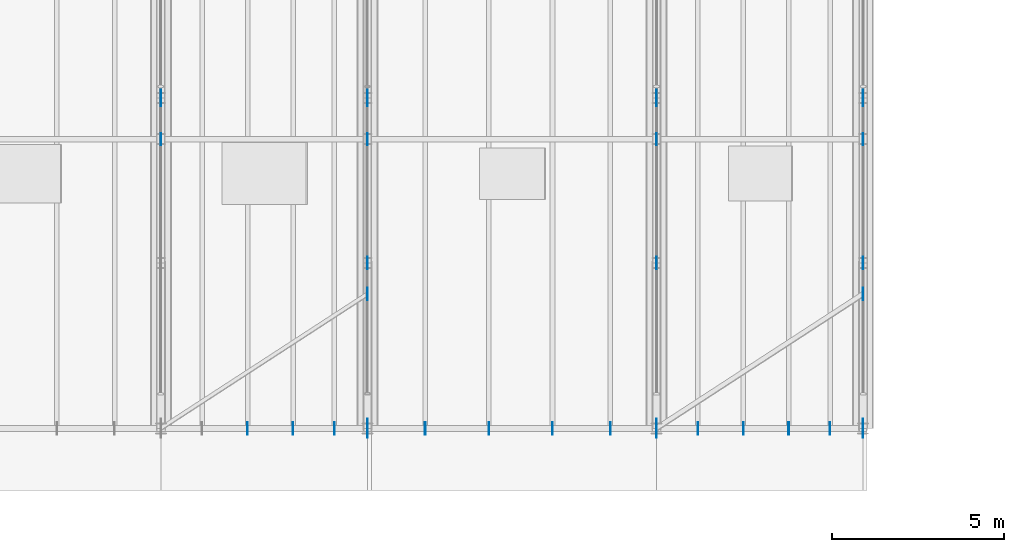
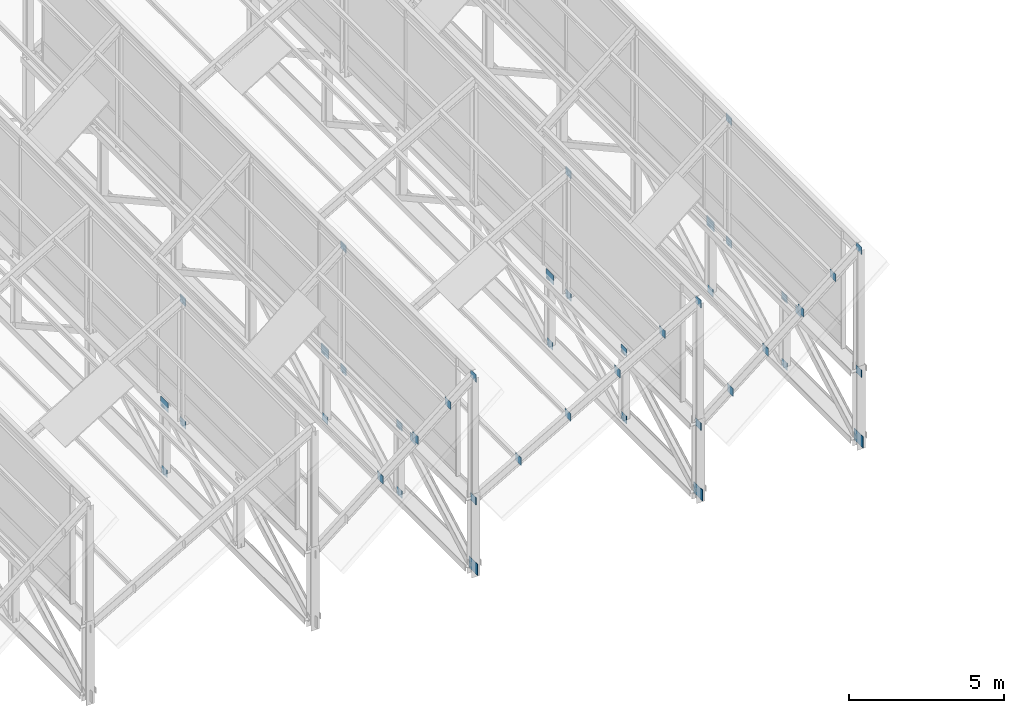
# One storey, part 38 of 101: 44 plates.
"""IFC4 building model written with IfcOpenShell, lengths in metres."""

import ifcopenshell
import ifcopenshell.guid

model = None  # the IFC model being written
_history = None  # IfcOwnerHistory: only IFC2X3 demands one
_inside = {}  # id of a spatial element -> (the spatial element, [elements in it])
_under = {}  # id of a project, library or spatial element -> (it, [spatial elements below it])
_declared = {}  # id of a project -> (the project, [libraries it declares])
_typed = {}  # id of a type object -> (the type object, [elements of that type])
_made_of = {}  # id of a material, layer set ... -> (it, [elements and type objects made of it])


def new_model(schema):
    """Start an empty IFC model of exactly this schema.

    Asked for "IFC4X3", IfcOpenShell would pick the latest addendum, in which some entities
    have other attributes; the version numbers below select the first issue.
    IFC2X3 requires an IfcOwnerHistory on every rooted entity: one is made here for all.
    """
    global model, _history
    if schema == "IFC4X3":
        model = ifcopenshell.file(schema_version=(4, 3, 0, 0))
    else:
        model = ifcopenshell.file(schema=schema)
    _inside.clear()
    _under.clear()
    _declared.clear()
    _typed.clear()
    _made_of.clear()
    _history = None
    if model.schema == "IFC2X3":
        org = make("IfcOrganization", Name="unknown")
        user = make(
            "IfcPersonAndOrganization",
            ThePerson=make("IfcPerson", FamilyName="unknown"),
            TheOrganization=org,
        )
        app = make(
            "IfcApplication",
            ApplicationDeveloper=org,
            Version="unknown",
            ApplicationFullName="unknown",
            ApplicationIdentifier="unknown",
        )
        _history = make(
            "IfcOwnerHistory",
            OwningUser=user,
            OwningApplication=app,
            ChangeAction="ADDED",
            CreationDate=0,
        )
    return model


def make(cls, **values):
    """One entity of the class cls with the attributes given. An attribute that is None is left unset."""
    return model.create_entity(
        cls, **{name: value for name, value in values.items() if value is not None}
    )


def rooted(cls, **values):
    """An entity with a GlobalId (a new one), such as an element, a storey or a relation."""
    return make(cls, GlobalId=ifcopenshell.guid.new(), OwnerHistory=_history, **values)


def si_unit(unit_type, name, prefix=None):
    """IfcSIUnit, for example si_unit("LENGTHUNIT", "METRE", prefix="MILLI")."""
    return make("IfcSIUnit", UnitType=unit_type, Prefix=prefix, Name=name)


def assignment(units):
    """IfcUnitAssignment: the units of a project."""
    return None if units is None else make("IfcUnitAssignment", Units=units)


def point(xyz):
    """IfcCartesianPoint."""
    return None if xyz is None else make("IfcCartesianPoint", Coordinates=xyz)


def direction(xyz):
    """IfcDirection."""
    return None if xyz is None else make("IfcDirection", DirectionRatios=xyz)


def frame(location, z_axis=None, x_axis=None):
    """IfcAxis2Placement3D, a coordinate frame: its origin and axes. An axis left out is left unset."""
    return make(
        "IfcAxis2Placement3D",
        Location=point(location),
        Axis=direction(z_axis),
        RefDirection=direction(x_axis),
    )


def frame_2d(location, x_axis=None):
    """IfcAxis2Placement2D, a coordinate frame in the plane: its origin and x axis."""
    return make(
        "IfcAxis2Placement2D", Location=point(location), RefDirection=direction(x_axis)
    )


def origin():
    """The frame at (0, 0, 0) with its axes left unset."""
    return frame((0.0, 0.0, 0.0))


def origin_2d():
    """The frame at (0, 0) in the plane with its x axis left unset."""
    return frame_2d((0.0, 0.0))


def place(relative_to, where):
    """IfcLocalPlacement: puts the frame where relative to a parent placement (None: the world)."""
    return make(
        "IfcLocalPlacement", PlacementRelTo=relative_to, RelativePlacement=where
    )


def context(
    kind, dimensions, precision=None, world=None, true_north=None, identifier=None
):
    """IfcGeometricRepresentationContext, for example the 3D "Model" context."""
    return make(
        "IfcGeometricRepresentationContext",
        ContextIdentifier=identifier,
        ContextType=kind,
        CoordinateSpaceDimension=dimensions,
        Precision=precision,
        WorldCoordinateSystem=world,
        TrueNorth=true_north,
    )


def subcontext(parent, identifier, kind, view, scale=None):
    """IfcGeometricRepresentationSubContext, for example "Body" below "Model"."""
    return make(
        "IfcGeometricRepresentationSubContext",
        ContextIdentifier=identifier,
        ContextType=kind,
        ParentContext=parent,
        TargetScale=scale,
        TargetView=view,
    )


def project(units=None, contexts=None):
    """IfcProject with its units and contexts."""
    return rooted(
        "IfcProject",
        Name="project",
        RepresentationContexts=contexts,
        UnitsInContext=assignment(units),
    )


def spatial(cls, under=None, at=None, **own):
    """A site, building, storey or space (cls), placed at a placement, below another one or the project."""
    s = rooted(cls, ObjectPlacement=at, **own)
    if under is not None:
        _under.setdefault(under.id(), (under, []))[1].append(s)
    return s


def profile(cls, at=None, kind="AREA", **sizes):
    """A parametric profile (cls). Its sizes go by their IFC names, for example OverallWidth=200.0."""
    return make(cls, ProfileType=kind, Position=at, **sizes)


def rectangle(**sizes):
    """IfcRectangleProfileDef."""
    return profile("IfcRectangleProfileDef", **sizes)


def extrude(swept, where, along, depth):
    """IfcExtrudedAreaSolid: the profile swept, set in the frame where, extruded along a direction by depth."""
    return make(
        "IfcExtrudedAreaSolid",
        SweptArea=swept,
        Position=where,
        ExtrudedDirection=direction(along),
        Depth=depth,
    )


def shape(context_of_items, identifier, shape_type, items):
    """IfcShapeRepresentation: the items that make up one representation, for example the "Body"."""
    return make(
        "IfcShapeRepresentation",
        ContextOfItems=context_of_items,
        RepresentationIdentifier=identifier,
        RepresentationType=shape_type,
        Items=items,
    )


def material(Name=None, Category=None):
    """IfcMaterial."""
    return make("IfcMaterial", Name=Name, Category=Category)


def layer(
    of_material, thickness, ventilated=None, Name=None, Category=None, Priority=None
):
    """IfcMaterialLayer: one layer of a wall or slab, of a material (None: an air gap)."""
    return make(
        "IfcMaterialLayer",
        Material=of_material,
        LayerThickness=thickness,
        IsVentilated=ventilated,
        Name=Name,
        Category=Category,
        Priority=Priority,
    )


def layer_set(layers, Name=None):
    """IfcMaterialLayerSet."""
    return make("IfcMaterialLayerSet", MaterialLayers=layers, LayerSetName=Name)


def made_of(thing, what):
    """Note that an element or type object is made of a material, layer set ...; save() writes the relation."""
    if what is not None:
        _made_of.setdefault(what.id(), (what, []))[1].append(thing)
    return thing


def type_object(cls, material=None, **own):
    """A type object (cls), such as IfcWallType, which elements share."""
    return made_of(rooted(cls, **own), material)


def element(
    cls,
    number,
    at=None,
    inside=None,
    cuts=None,
    type_object=None,
    material=None,
    context=None,
    identifier="Body",
    shape_type=None,
    held_by="IfcProductDefinitionShape",
    body=None,
    shapes=None,
    **own,
):
    """One element of the class cls, such as IfcWall. Its Tag is "e" and its number.

    at: its placement. inside: the storey or other place that contains it. cuts: it is an
    opening in that element (IfcRelVoidsElement). A single representation is given by context,
    identifier, shape_type and body (its items); several are given by shapes. held_by: the class
    of the entity that holds the representations. save() writes the other relations.
    """
    e = rooted(cls, Tag="e%d" % number, ObjectPlacement=at, **own)
    if body is not None:
        shapes = [shape(context, identifier, shape_type, body)]
    if shapes is not None:
        e.Representation = make(held_by, Representations=shapes)
    if inside is not None:
        _inside.setdefault(inside.id(), (inside, []))[1].append(e)
    if cuts is not None:
        rooted(
            "IfcRelVoidsElement", RelatingBuildingElement=cuts, RelatedOpeningElement=e
        )
    if type_object is not None:
        _typed.setdefault(type_object.id(), (type_object, []))[1].append(e)
    return made_of(e, material)


def aggregate(whole, parts):
    """IfcRelAggregates: a whole, such as a stair, and the parts it consists of."""
    return rooted("IfcRelAggregates", RelatingObject=whole, RelatedObjects=parts)


def save(model, path):
    """Write the relations noted so far, then the file.

    IfcRelAggregates (storeys below a building ...), IfcRelContainedInSpatialStructure (elements
    in a storey), IfcRelDefinesByType, IfcRelAssociatesMaterial and IfcRelDeclares: one each for
    every whole, place, type object, material and project.
    """
    for whole, parts in _under.values():
        aggregate(whole, parts)
    for where, things in _inside.values():
        rooted(
            "IfcRelContainedInSpatialStructure",
            RelatedElements=things,
            RelatingStructure=where,
        )
    for kind, things in _typed.values():
        rooted("IfcRelDefinesByType", RelatedObjects=things, RelatingType=kind)
    for what, things in _made_of.values():
        rooted("IfcRelAssociatesMaterial", RelatedObjects=things, RelatingMaterial=what)
    for by, libraries in _declared.values():
        rooted("IfcRelDeclares", RelatingContext=by, RelatedDefinitions=libraries)
    model.write(path)


model = new_model("IFC4")

# Units and contexts
model_context = context("Model", 3, precision=1e-05, world=origin(), true_north=direction((0.0, 1.0)))
body_context = subcontext(model_context, "Body", "Model", "MODEL_VIEW")
ifc_project = project(units=[si_unit("LENGTHUNIT", "METRE"), si_unit("AREAUNIT", "SQUARE_METRE"), si_unit("VOLUMEUNIT", "CUBIC_METRE"), si_unit("PLANEANGLEUNIT", "RADIAN"), si_unit("MASSUNIT", "GRAM", prefix="KILO"), si_unit("THERMODYNAMICTEMPERATUREUNIT", "KELVIN")], contexts=[model_context])

# Site, building, storey
site_placement = place(None, origin())
site = spatial("IfcSite", under=ifc_project, at=site_placement, CompositionType="ELEMENT")
building_placement = place(site_placement, origin())
building = spatial("IfcBuilding", under=site, at=building_placement, Name="Thalorik Housing Commons", CompositionType="ELEMENT")
storey_placement = place(building_placement, frame((0.0, 0.0, 8.10009765625)))
storey = spatial("IfcBuildingStorey", under=building, at=storey_placement, Name="L02", CompositionType="ELEMENT", Elevation=8.10009765625)

# Plates
ifc_material = material(Name="Steel S355", Category="steel")
ifc_layer_1 = layer(ifc_material, 0.02001953125, Name="Steel S355", Category="steel")
ifc_layer_set_1 = layer_set([ifc_layer_1], Name="Steel S355")
plate_type_1 = type_object("IfcPlateType", Name="STR-PLT-GP01", PredefinedType="SHEET", material=ifc_layer_set_1)
for number, where, z_axis, x_axis, name in (
    (1, (100.800048828125, 57.60009765625, 0.1298828125), (0.0, 0.0, 1.0), (1.0, 0.0, 0.0), "L02 Truss Node Gusset Plate 21"),
    (2, (109.199951171875, 57.60009765625, 0.1298828125), (0.0, 0.0, 1.0), (1.0, 0.0, 0.0), "L02 Truss Node Gusset Plate 25"),
    (3, (115.199951171875, 57.60009765625, 0.1298828125), (0.0, 0.0, 1.0), (1.0, 0.0, 0.0), "L02 Truss Node Gusset Plate 29"),
):
    element("IfcPlate", number, at=place(storey_placement, frame(where, z_axis=z_axis, x_axis=x_axis)), inside=storey, type_object=plate_type_1, Name=name, PredefinedType="SHEET", context=body_context, shape_type="SweptSolid", body=[
        extrude(rectangle(XDim=0.02001953125, YDim=0.56005859375, at=origin_2d()), origin(), (0.0, 0.0, 1.0), 0.43994140625),
    ])
ifc_layer_2 = layer(ifc_material, 0.02001953125, Name="Steel S355", Category="steel")
ifc_layer_set_2 = layer_set([ifc_layer_2], Name="Steel S355")
plate_type_2 = type_object("IfcPlateType", Name="STR-PLT-GP02", PredefinedType="SHEET", material=ifc_layer_set_2)
for number, where, z_axis, x_axis, name in (
    (4, (94.800048828125, 67.199951171875, 2.81005859375), (0.0, 0.0, 1.0), (1.0, 0.0, 0.0), "L02 Truss Node Gusset Plate 18"),
    (5, (100.800048828125, 67.199951171875, 2.81005859375), (0.0, 0.0, 1.0), (1.0, 0.0, 0.0), "L02 Truss Node Gusset Plate 22"),
    (6, (109.199951171875, 67.199951171875, 2.81005859375), (0.0, 0.0, 1.0), (1.0, 0.0, 0.0), "L02 Truss Node Gusset Plate 26"),
    (7, (115.199951171875, 67.199951171875, 2.81005859375), (0.0, 0.0, 1.0), (1.0, 0.0, 0.0), "L02 Truss Node Gusset Plate 30"),
):
    element("IfcPlate", number, at=place(storey_placement, frame(where, z_axis=z_axis, x_axis=x_axis)), inside=storey, type_object=plate_type_2, Name=name, PredefinedType="SHEET", context=body_context, shape_type="SweptSolid", body=[
        extrude(rectangle(XDim=0.02001953125, YDim=0.47998046875, at=origin_2d()), origin(), (0.0, 0.0, 1.0), 0.3798828125),
    ])
ifc_layer_3 = layer(ifc_material, 0.01611328125, Name="Steel S355", Category="steel")
ifc_layer_set_3 = layer_set([ifc_layer_3], Name="Steel S355")
plate_type_3 = type_object("IfcPlateType", Name="STR-PLT-GP04", PredefinedType="SHEET", material=ifc_layer_set_3)
for number, where, z_axis, x_axis, name in (
    (8, (94.800048828125, 67.199951171875, 0.19970703125), (0.0, 0.0, 1.0), (1.0, 0.0, 0.0), "L02 Member End Connection Plate 45"),
    (9, (100.800048828125, 57.60009765625, 2.85009765625), (0.0, 0.0, 1.0), (1.0, 0.0, 0.0), "L02 Member End Connection Plate 51"),
    (10, (100.800048828125, 62.39990234375, 0.19970703125), (0.0, 0.0, 1.0), (1.0, 0.0, 0.0), "L02 Member End Connection Plate 53"),
    (11, (100.800048828125, 62.39990234375, 2.85009765625), (0.0, 0.0, 1.0), (1.0, 0.0, 0.0), "L02 Member End Connection Plate 54"),
    (12, (100.800048828125, 67.199951171875, 0.19970703125), (0.0, 0.0, 1.0), (1.0, 0.0, 0.0), "L02 Member End Connection Plate 55"),
    (13, (109.199951171875, 57.60009765625, 2.85009765625), (0.0, 0.0, 1.0), (1.0, 0.0, 0.0), "L02 Member End Connection Plate 61"),
    (14, (109.199951171875, 62.39990234375, 0.19970703125), (0.0, 0.0, 1.0), (1.0, 0.0, 0.0), "L02 Member End Connection Plate 63"),
    (15, (109.199951171875, 62.39990234375, 2.85009765625), (0.0, 0.0, 1.0), (1.0, 0.0, 0.0), "L02 Member End Connection Plate 64"),
    (16, (109.199951171875, 67.199951171875, 0.19970703125), (0.0, 0.0, 1.0), (1.0, 0.0, 0.0), "L02 Member End Connection Plate 65"),
    (17, (115.199951171875, 57.60009765625, 2.85009765625), (0.0, 0.0, 1.0), (1.0, 0.0, 0.0), "L02 Member End Connection Plate 71"),
    (18, (115.199951171875, 62.39990234375, 0.19970703125), (0.0, 0.0, 1.0), (1.0, 0.0, 0.0), "L02 Member End Connection Plate 73"),
    (19, (115.199951171875, 62.39990234375, 2.85009765625), (0.0, 0.0, 1.0), (1.0, 0.0, 0.0), "L02 Member End Connection Plate 74"),
    (20, (115.199951171875, 67.199951171875, 0.19970703125), (0.0, 0.0, 1.0), (1.0, 0.0, 0.0), "L02 Member End Connection Plate 75"),
    (21, (94.800048828125, 66.0, 2.85009765625), (0.0, 0.0, 1.0), (1.0, 0.0, 0.0), "L02 Member End Connection Plate 131"),
    (22, (94.800048828125, 66.0, 7.69970703125), (0.0, 0.0, 1.0), (1.0, 0.0, 0.0), "L02 Member End Connection Plate 132"),
    (23, (100.800048828125, 57.60009765625, 7.69970703125), (0.0, 0.0, 1.0), (1.0, 0.0, 0.0), "L02 Member End Connection Plate 145"),
    (24, (100.800048828125, 66.0, 2.85009765625), (0.0, 0.0, 1.0), (1.0, 0.0, 0.0), "L02 Member End Connection Plate 146"),
    (25, (100.800048828125, 66.0, 7.69970703125), (0.0, 0.0, 1.0), (1.0, 0.0, 0.0), "L02 Member End Connection Plate 147"),
    (26, (97.320068359375, 57.60009765625, 4.90625), (0.0, 0.0, 1.0), (1.0, 0.0, 0.0), "L02 Member End Connection Plate 154"),
    (27, (98.639892578125, 57.60009765625, 5.99365234375), (0.0, 0.0, 1.0), (1.0, 0.0, 0.0), "L02 Member End Connection Plate 156"),
    (28, (99.840087890625, 57.60009765625, 6.9638671875), (0.0, 0.0, 1.0), (1.0, 0.0, 0.0), "L02 Member End Connection Plate 158"),
    (29, (100.800048828125, 61.5, 2.85009765625), (0.0, 0.0, 1.0), (1.0, 0.0, 0.0), "L02 Member End Connection Plate 160"),
    (30, (109.199951171875, 57.60009765625, 7.69970703125), (0.0, 0.0, 1.0), (1.0, 0.0, 0.0), "L02 Member End Connection Plate 162"),
    (31, (109.199951171875, 66.0, 2.85009765625), (0.0, 0.0, 1.0), (1.0, 0.0, 0.0), "L02 Member End Connection Plate 163"),
    (32, (109.199951171875, 66.0, 7.69970703125), (0.0, 0.0, 1.0), (1.0, 0.0, 0.0), "L02 Member End Connection Plate 164"),
    (33, (102.47998046875, 57.60009765625, 3.826171875), (0.0, 0.0, 1.0), (1.0, 0.0, 0.0), "L02 Member End Connection Plate 169"),
    (34, (104.327880859375, 57.60009765625, 4.9267578125), (0.0, 0.0, 1.0), (1.0, 0.0, 0.0), "L02 Member End Connection Plate 171"),
    (35, (106.176025390625, 57.60009765625, 5.99365234375), (0.0, 0.0, 1.0), (1.0, 0.0, 0.0), "L02 Member End Connection Plate 173"),
    (36, (107.85595703125, 57.60009765625, 6.9638671875), (0.0, 0.0, 1.0), (1.0, 0.0, 0.0), "L02 Member End Connection Plate 175"),
    (37, (115.199951171875, 57.60009765625, 7.69970703125), (0.0, 0.0, 1.0), (1.0, 0.0, 0.0), "L02 Member End Connection Plate 177"),
    (38, (115.199951171875, 66.0, 2.85009765625), (0.0, 0.0, 1.0), (1.0, 0.0, 0.0), "L02 Member End Connection Plate 178"),
    (39, (115.199951171875, 66.0, 7.69970703125), (0.0, 0.0, 1.0), (1.0, 0.0, 0.0), "L02 Member End Connection Plate 179"),
    (40, (110.39990234375, 57.60009765625, 3.7841796875), (0.0, 0.0, 1.0), (1.0, 0.0, 0.0), "L02 Member End Connection Plate 184"),
    (41, (111.719970703125, 57.60009765625, 4.90625), (0.0, 0.0, 1.0), (1.0, 0.0, 0.0), "L02 Member End Connection Plate 186"),
    (42, (113.0400390625, 57.60009765625, 5.99365234375), (0.0, 0.0, 1.0), (1.0, 0.0, 0.0), "L02 Member End Connection Plate 188"),
    (43, (114.239990234375, 57.60009765625, 6.9638671875), (0.0, 0.0, 1.0), (1.0, 0.0, 0.0), "L02 Member End Connection Plate 190"),
    (44, (115.199951171875, 61.5, 2.85009765625), (0.0, 0.0, 1.0), (1.0, 0.0, 0.0), "L02 Member End Connection Plate 192"),
):
    element("IfcPlate", number, at=place(storey_placement, frame(where, z_axis=z_axis, x_axis=x_axis)), inside=storey, type_object=plate_type_3, Name=name, PredefinedType="SHEET", context=body_context, shape_type="SweptSolid", body=[
        extrude(rectangle(XDim=0.01611328125, YDim=0.360107421875, at=origin_2d()), origin(), (0.0, 0.0, 1.0), 0.300048828125),
    ])

save(model, "model.ifc")
